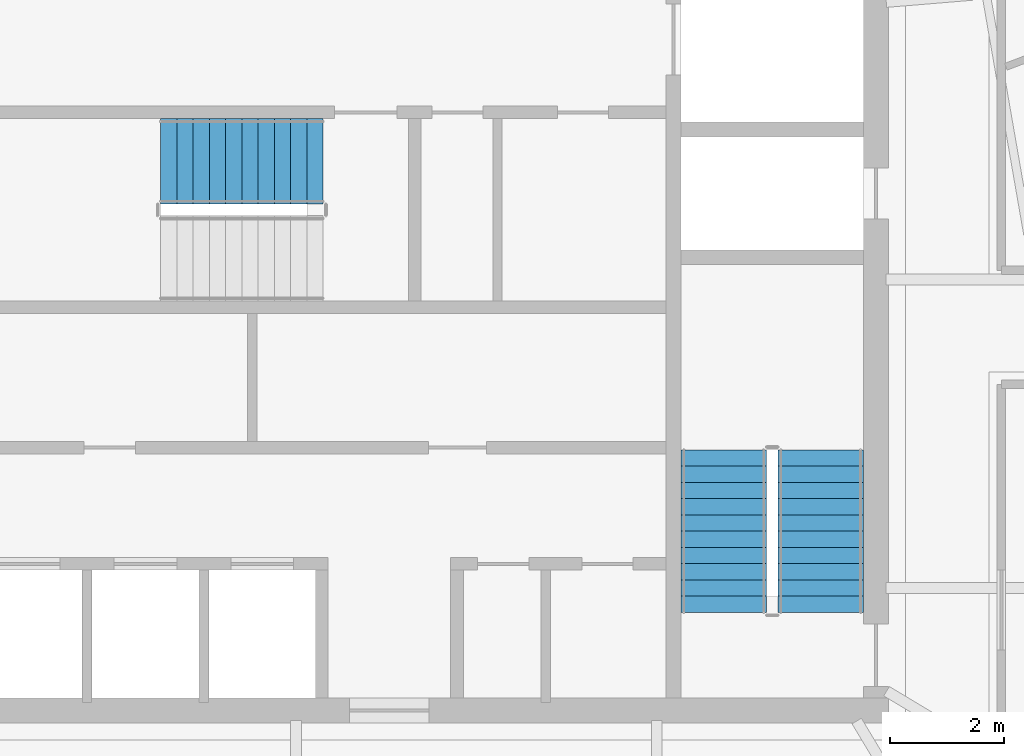
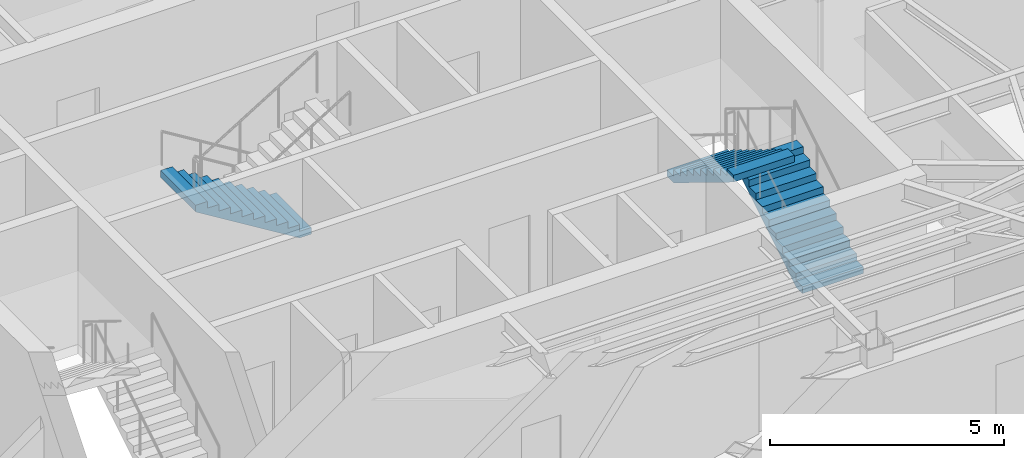
# One storey, part 11 of 14: 3 stair flights, 2 elements without a shape of their own.
"""IFC4 building model written with IfcOpenShell, lengths in metres."""

from ifc_helpers import new_model, si_unit, direction, frame, origin, place, context, subcontext, project, spatial, polyline, outline, extrude, material, type_object, element, aggregate, save


model = new_model("IFC4")

# Units and contexts
model_context = context("Model", 3, precision=1e-05, world=origin(), true_north=direction((0.0, 1.0)))
body_context = subcontext(model_context, "Body", "Model", "MODEL_VIEW")
ifc_project = project(units=[si_unit("LENGTHUNIT", "METRE"), si_unit("AREAUNIT", "SQUARE_METRE"), si_unit("VOLUMEUNIT", "CUBIC_METRE"), si_unit("PLANEANGLEUNIT", "RADIAN"), si_unit("MASSUNIT", "GRAM", prefix="KILO")], contexts=[model_context])

# Site, building, storey
site_placement = place(None, origin())
site = spatial("IfcSite", under=ifc_project, at=site_placement, CompositionType="ELEMENT")
building_placement = place(site_placement, origin())
building = spatial("IfcBuilding", under=site, at=building_placement, Name="Kavelnor Concourse Tower", CompositionType="ELEMENT")
storey_placement = place(building_placement, frame((0.0, 0.0, 215.050048828125)))
storey = spatial("IfcBuildingStorey", under=building, at=storey_placement, Name="L54", CompositionType="ELEMENT", Elevation=215.050048828125)

# Stair, stair flights
ifc_material = material(Name="Concrete C40/50", Category="concrete")
stair_type = type_object("IfcStairType", Name="STR-CORE-1500", PredefinedType="HALF_TURN_STAIR", material=ifc_material)
stair_1_placement = place(storey_placement, origin())
stair_1 = element("IfcStair", 1, at=stair_1_placement, inside=storey, type_object=stair_type, Name="L54 ST2", PredefinedType="HALF_TURN_STAIR")
stair_flight_type = type_object("IfcStairFlightType", Name="STR-FLIGHT-1500", PredefinedType="STRAIGHT", material=ifc_material)
stair_flight_1_placement = place(storey_placement, frame((46.77001953125, 11.10009765625, 0.0), z_axis=(0.0, 0.0, 1.0), x_axis=(0.0, 1.0, 0.0)))
stair_flight_1 = element("IfcStairFlight", 2, at=stair_flight_1_placement, type_object=stair_flight_type, Name="ST2 flight 1", NumberOfRisers=11, NumberOfTreads=10, PredefinedType="STRAIGHT", RiserHeight=0.175, TreadLength=0.285, context=body_context, shape_type="SweptSolid", body=[
    extrude(outline(polyline([(0.0, 0.0), (0.0, 0.175048828125), (0.284912109375, 0.175048828125), (0.284912109375, 0.35009765625), (0.570068359375, 0.35009765625), (0.570068359375, 0.52490234375), (0.85498046875, 0.52490234375), (0.85498046875, 0.699951171875), (1.139892578125, 0.699951171875), (1.139892578125, 0.875), (1.425048828125, 0.875), (1.425048828125, 1.050048828125), (1.7099609375, 1.050048828125), (1.7099609375, 1.22509765625), (1.9951171875, 1.22509765625), (1.9951171875, 1.39990234375), (2.280029296875, 1.39990234375), (2.280029296875, 1.574951171875), (2.56494140625, 1.574951171875), (2.56494140625, 1.75), (2.85009765625, 1.75), (2.85009765625, 1.925048828125), (2.85009765625, 1.573974609375), (0.286376953125, 0.0), (0.0, 0.0)])), frame((0.0, 0.75, 0.0), z_axis=(0.0, -1.0, 0.0), x_axis=(1.0, 0.0, 0.0)), (0.0, 0.0, 1.0), 1.5),
])
stair_flight_2_placement = place(storey_placement, frame((45.070068359375, 13.949951171875, 1.925048828125), z_axis=(0.0, 0.0, 1.0), x_axis=(0.0, -1.0, 0.0)))
stair_flight_2 = element("IfcStairFlight", 3, at=stair_flight_2_placement, type_object=stair_flight_type, Name="ST2 flight 2", NumberOfRisers=11, NumberOfTreads=10, PredefinedType="STRAIGHT", RiserHeight=0.175, TreadLength=0.285, context=body_context, shape_type="SweptSolid", body=[
    extrude(outline(polyline([(0.0, 0.0), (0.0, 0.175048828125), (0.284912109375, 0.175048828125), (0.284912109375, 0.35009765625), (0.570068359375, 0.35009765625), (0.570068359375, 0.52490234375), (0.85498046875, 0.52490234375), (0.85498046875, 0.699951171875), (1.139892578125, 0.699951171875), (1.139892578125, 0.875), (1.425048828125, 0.875), (1.425048828125, 1.050048828125), (1.7099609375, 1.050048828125), (1.7099609375, 1.22509765625), (1.9951171875, 1.22509765625), (1.9951171875, 1.39990234375), (2.280029296875, 1.39990234375), (2.280029296875, 1.574951171875), (2.56494140625, 1.574951171875), (2.56494140625, 1.75), (2.85009765625, 1.75), (2.85009765625, 1.925048828125), (2.85009765625, 1.573974609375), (0.286376953125, 0.0), (0.0, 0.0)])), frame((0.0, 0.75, 0.0), z_axis=(0.0, -1.0, 0.0), x_axis=(1.0, 0.0, 0.0)), (0.0, 0.0, 1.0), 1.5),
])
aggregate(stair_1, [stair_flight_1, stair_flight_2])

# Stair, stair flight
stair_2_placement = place(storey_placement, origin())
stair_2 = element("IfcStair", 4, at=stair_2_placement, inside=storey, type_object=stair_type, Name="L54 ST3", PredefinedType="HALF_TURN_STAIR")
stair_flight_3_placement = place(storey_placement, frame((38.0400390625, 19.010009765625, 0.0), z_axis=(0.0, 0.0, 1.0), x_axis=(-1.0, 0.0, 0.0)))
stair_flight_3 = element("IfcStairFlight", 5, at=stair_flight_3_placement, type_object=stair_flight_type, Name="ST3 flight 1", NumberOfRisers=11, NumberOfTreads=10, PredefinedType="STRAIGHT", RiserHeight=0.175, TreadLength=0.285, context=body_context, shape_type="SweptSolid", body=[
    extrude(outline(polyline([(0.0, 0.0), (0.0, 0.175048828125), (0.284912109375, 0.175048828125), (0.284912109375, 0.35009765625), (0.570068359375, 0.35009765625), (0.570068359375, 0.52490234375), (0.85498046875, 0.52490234375), (0.85498046875, 0.699951171875), (1.139892578125, 0.699951171875), (1.139892578125, 0.875), (1.425048828125, 0.875), (1.425048828125, 1.050048828125), (1.7099609375, 1.050048828125), (1.7099609375, 1.22509765625), (1.9951171875, 1.22509765625), (1.9951171875, 1.39990234375), (2.280029296875, 1.39990234375), (2.280029296875, 1.574951171875), (2.56494140625, 1.574951171875), (2.56494140625, 1.75), (2.85009765625, 1.75), (2.85009765625, 1.925048828125), (2.85009765625, 1.573974609375), (0.286376953125, 0.0), (0.0, 0.0)])), frame((0.0, 0.75, 0.0), z_axis=(0.0, -1.0, 0.0), x_axis=(1.0, 0.0, 0.0)), (0.0, 0.0, 1.0), 1.5),
])
aggregate(stair_2, [stair_flight_3])

save(model, "model.ifc")
